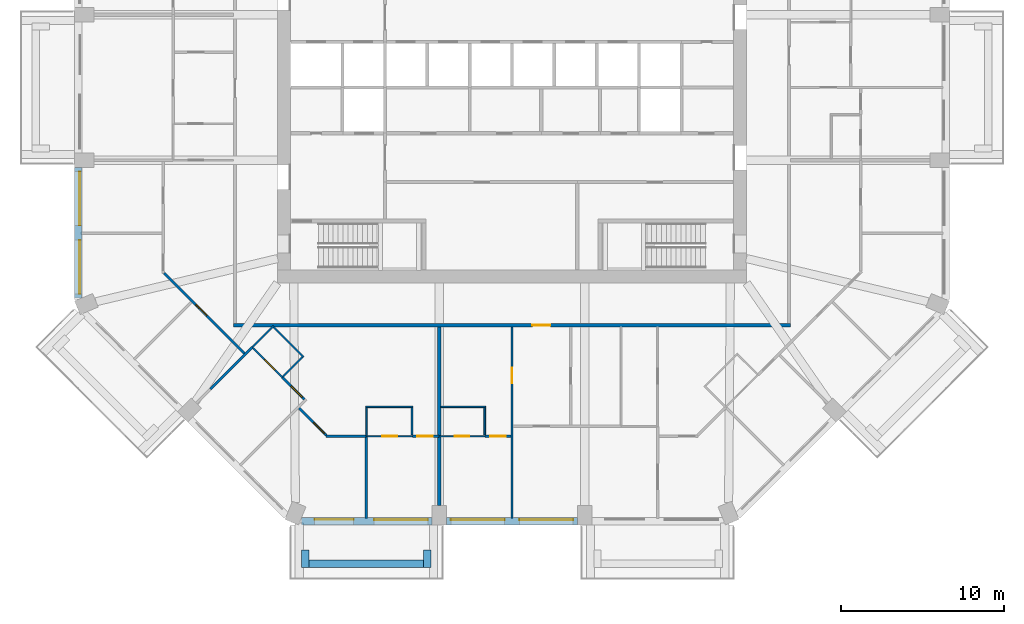
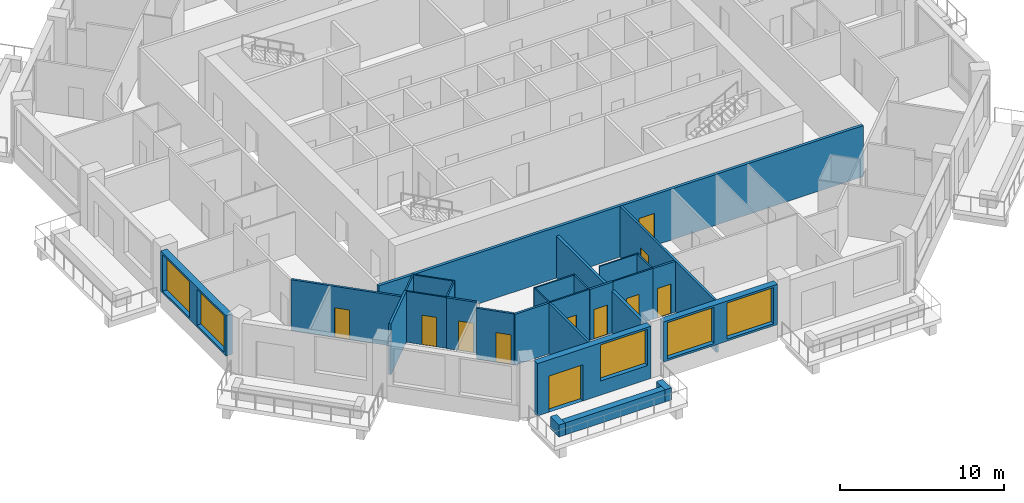
# One storey, part 3 of 13: 28 walls, 11 doors, 5 windows, 16 openings.
"""IFC4 building model written with IfcOpenShell, lengths in metres."""

from ifc_helpers import new_model, si_unit, direction, frame, frame_2d, origin, place, context, subcontext, project, spatial, rectangle, extrude, material, layer, layer_set, type_object, element, fill, save


model = new_model("IFC4")

# Units and contexts
model_context = context("Model", 3, precision=1e-05, world=origin(), true_north=direction((0.0, 1.0)))
body_context = subcontext(model_context, "Body", "Model", "MODEL_VIEW")
ifc_project = project(units=[si_unit("LENGTHUNIT", "METRE"), si_unit("AREAUNIT", "SQUARE_METRE"), si_unit("VOLUMEUNIT", "CUBIC_METRE"), si_unit("PLANEANGLEUNIT", "RADIAN"), si_unit("MASSUNIT", "GRAM", prefix="KILO")], contexts=[model_context])

# Site, building, storey
site_placement = place(None, origin())
site = spatial("IfcSite", under=ifc_project, at=site_placement, CompositionType="ELEMENT")
building_placement = place(site_placement, origin())
building = spatial("IfcBuilding", under=site, at=building_placement, Name="Msitu Wima Residences", CompositionType="ELEMENT")
storey_placement = place(building_placement, frame((0.0, 0.0, 148.5)))
storey = spatial("IfcBuildingStorey", under=building, at=storey_placement, Name="L34", CompositionType="ELEMENT", Elevation=148.5)

# Walls
ifc_material_1 = material(Name="Facing brick")
ifc_layer_1 = layer(ifc_material_1, 0.06494140625, Name="Facing brick")
ifc_material_2 = material(Name="Concrete C40/50", Category="concrete")
ifc_layer_2 = layer(ifc_material_2, 0.156005859375, Name="Concrete C40/50")
ifc_material_3 = material(Name="Waterproofing membrane")
ifc_layer_3 = layer(ifc_material_3, 0.00390625, Name="Waterproofing membrane")
ifc_material_4 = material(Name="Planting soil and planting")
ifc_layer_4 = layer(ifc_material_4, 0.22509765625, Name="Planting soil and planting")
ifc_layer_set_1 = layer_set([ifc_layer_1, ifc_layer_2, ifc_layer_3, ifc_layer_4], Name="Concrete C40/50")
wall_type_1 = type_object("IfcWallType", Name="Balcony planter PLANTER PL450", PredefinedType="USERDEFINED", material=ifc_layer_set_1)
wall_1_placement = place(storey_placement, frame((-12.455810546875, -29.22509765625, 0.0), z_axis=(0.0, 0.0, 1.0), x_axis=(1.0, 0.0, 0.0)))
element("IfcWall", 1, at=wall_1_placement, inside=storey, type_object=wall_type_1, Name="Balcony planter S0 L34", ObjectType="PLANTER", PredefinedType="USERDEFINED", context=body_context, shape_type="SweptSolid", body=[
    extrude(rectangle(XDim=7.037109375, YDim=0.449951171875, at=frame_2d((3.5185546875, 0.0))), origin(), (0.0, 0.0, 1.0), 0.89990234375),
])
for number, where, z_axis, x_axis, name in (
    (2, (-12.680908203125, -28.39990234375, 0.0), (0.0, 0.0, 1.0), (0.0, -1.0, 0.0), "Balcony planter S0 L34"),
    (3, (-5.193603515625, -28.39990234375, 0.0), (0.0, 0.0, 1.0), (0.0, -1.0, 0.0), "Balcony planter S0 L34"),
):
    element("IfcWall", number, at=place(storey_placement, frame(where, z_axis=z_axis, x_axis=x_axis)), inside=storey, type_object=wall_type_1, Name=name, ObjectType="PLANTER", PredefinedType="USERDEFINED", context=body_context, shape_type="SweptSolid", body=[
        extrude(rectangle(XDim=1.050048828125, YDim=0.449951171875, at=frame_2d((0.52490234375, 0.0))), origin(), (0.0, 0.0, 1.0), 0.89990234375),
    ])

# Wall, openings, windows
ifc_material_5 = material(Name="Brick (red buff mix)", Category="masonry")
ifc_layer_5 = layer(ifc_material_5, 0.449951171875)
ifc_layer_set_2 = layer_set([ifc_layer_5], Name="Brick (red buff mix)")
wall_type_2 = type_object("IfcWallType", Name="Brick infill wall BW450", PredefinedType="SOLIDWALL", material=ifc_layer_set_2)
wall_2_placement = place(storey_placement, frame((-26.625, -4.918701171875, 0.89990234375), z_axis=(0.0, 0.0, 1.0), x_axis=(0.0, -1.0, 0.0)))
wall_2 = element("IfcWall", 4, at=wall_2_placement, inside=storey, type_object=wall_type_2, Name="Brick infill wall L34 W2", PredefinedType="SOLIDWALL", context=body_context, shape_type="SweptSolid", body=[
    extrude(rectangle(XDim=8.0, YDim=0.449951171875, at=frame_2d((4.0, 0.0))), origin(), (0.0, 0.0, 1.0), 3.0),
])
opening_1_placement = place(wall_2_placement, frame((0.25, 0.0, 0.14990234375)))
opening_1 = element("IfcOpeningElement", 5, at=opening_1_placement, cuts=wall_2, Name="Opening W34-35.029", PredefinedType="OPENING", context=body_context, shape_type="SweptSolid", body=[
    extrude(rectangle(XDim=3.300048828125, YDim=2.699951171875, at=frame_2d((1.64990234375, 1.35009765625))), frame((0.0, 0.23486328125, 0.0), z_axis=(0.0, -1.0, 0.0), x_axis=(1.0, 0.0, 0.0)), (0.0, 0.0, 1.0), 0.469970703125),
])
opening_2_placement = place(wall_2_placement, frame((4.4501953125, 0.0, 0.14990234375)))
opening_2 = element("IfcOpeningElement", 6, at=opening_2_placement, cuts=wall_2, Name="Opening W34-35.030", PredefinedType="OPENING", context=body_context, shape_type="SweptSolid", body=[
    extrude(rectangle(XDim=3.300048828125, YDim=2.699951171875, at=frame_2d((1.64990234375, 1.35009765625))), frame((0.0, 0.23486328125, 0.0), z_axis=(0.0, -1.0, 0.0), x_axis=(1.0, 0.0, 0.0)), (0.0, 0.0, 1.0), 0.469970703125),
])
ifc_material_6 = material(Name="Anodised aluminium, bronze finish, clear low-emissivity double glazing", Category="aluminium")
window_type = type_object("IfcWindowType", Name="Window W3300x2700", PartitioningType="DOUBLE_PANEL_VERTICAL", PredefinedType="WINDOW", material=ifc_material_6)
window_1_placement = place(opening_1_placement, origin())
window_1 = element("IfcWindow", 7, at=window_1_placement, inside=storey, type_object=window_type, Name="Window L34 W2.1", OverallHeight=2.699951171875, OverallWidth=3.300048828125, PartitioningType="SINGLE_PANEL", PredefinedType="WINDOW", context=body_context, shape_type="SweptSolid", body=[
    extrude(rectangle(XDim=3.300048828125, YDim=2.699951171875, at=frame_2d((1.64990234375, 1.35009765625))), frame((0.0, 0.135009765625, 0.0), z_axis=(0.0, -1.0, 0.0), x_axis=(1.0, 0.0, 0.0)), (0.0, 0.0, 1.0), 0.06005859375),
])
fill(opening_1, window_1)
window_2_placement = place(opening_2_placement, origin())
window_2 = element("IfcWindow", 8, at=window_2_placement, inside=storey, type_object=window_type, Name="Window L34 W2.2", OverallHeight=2.699951171875, OverallWidth=3.300048828125, PartitioningType="SINGLE_PANEL", PredefinedType="WINDOW", context=body_context, shape_type="SweptSolid", body=[
    extrude(rectangle(XDim=3.300048828125, YDim=2.699951171875, at=frame_2d((1.64990234375, 1.35009765625))), frame((0.0, 0.135009765625, 0.0), z_axis=(0.0, -1.0, 0.0), x_axis=(1.0, 0.0, 0.0)), (0.0, 0.0, 1.0), 0.06005859375),
])
fill(opening_2, window_2)

# Wall, openings, door, window
wall_3_placement = place(storey_placement, frame((-12.918701171875, -26.625, 0.0), z_axis=(0.0, 0.0, 1.0), x_axis=(1.0, 0.0, 0.0)))
wall_3 = element("IfcWall", 9, at=wall_3_placement, inside=storey, type_object=wall_type_2, Name="Brick infill wall L34 S0", PredefinedType="SOLIDWALL", context=body_context, shape_type="SweptSolid", body=[
    extrude(rectangle(XDim=8.0, YDim=0.449951171875, at=frame_2d((4.0, 0.0))), origin(), (0.0, 0.0, 1.0), 3.89990234375),
])
opening_3_placement = place(wall_3_placement, frame((0.800048828125, 0.0, 0.0)))
opening_3 = element("IfcOpeningElement", 10, at=opening_3_placement, cuts=wall_3, Name="Opening D34-35.006", PredefinedType="OPENING", context=body_context, shape_type="SweptSolid", body=[
    extrude(rectangle(XDim=2.39990234375, YDim=2.699951171875, at=frame_2d((1.199951171875, 1.35009765625))), frame((0.0, 0.23486328125, 0.0), z_axis=(0.0, -1.0, 0.0), x_axis=(1.0, 0.0, 0.0)), (0.0, 0.0, 1.0), 0.469970703125),
])
opening_4_placement = place(wall_3_placement, frame((4.4501953125, 0.0, 1.050048828125)))
opening_4 = element("IfcOpeningElement", 11, at=opening_4_placement, cuts=wall_3, Name="Opening W34-35.016", PredefinedType="OPENING", context=body_context, shape_type="SweptSolid", body=[
    extrude(rectangle(XDim=3.300048828125, YDim=2.699951171875, at=frame_2d((1.64990234375, 1.35009765625))), frame((0.0, 0.23486328125, 0.0), z_axis=(0.0, -1.0, 0.0), x_axis=(1.0, 0.0, 0.0)), (0.0, 0.0, 1.0), 0.469970703125),
])
door_type_1 = type_object("IfcDoorType", Name="Balcony door D2400x2700", OperationType="SLIDING_TO_LEFT", PredefinedType="DOOR", material=ifc_material_6)
door_1_placement = place(opening_3_placement, origin())
door_1 = element("IfcDoor", 12, at=door_1_placement, inside=storey, type_object=door_type_1, Name="Balcony door L34 S0", OperationType="SINGLE_SWING_LEFT", OverallHeight=2.699951171875, OverallWidth=2.39990234375, PredefinedType="DOOR", context=body_context, shape_type="SweptSolid", body=[
    extrude(rectangle(XDim=2.39990234375, YDim=2.699951171875, at=frame_2d((1.199951171875, 1.35009765625))), frame((0.0, 0.1298828125, 0.0), z_axis=(0.0, -1.0, 0.0), x_axis=(1.0, 0.0, 0.0)), (0.0, 0.0, 1.0), 0.050048828125),
])
fill(opening_3, door_1)
window_3_placement = place(opening_4_placement, origin())
window_3 = element("IfcWindow", 13, at=window_3_placement, inside=storey, type_object=window_type, Name="Window L34 S0.2", OverallHeight=2.699951171875, OverallWidth=3.300048828125, PartitioningType="SINGLE_PANEL", PredefinedType="WINDOW", context=body_context, shape_type="SweptSolid", body=[
    extrude(rectangle(XDim=3.300048828125, YDim=2.699951171875, at=frame_2d((1.64990234375, 1.35009765625))), frame((0.0, 0.135009765625, 0.0), z_axis=(0.0, -1.0, 0.0), x_axis=(1.0, 0.0, 0.0)), (0.0, 0.0, 1.0), 0.06005859375),
])
fill(opening_4, window_3)

# Wall, openings, windows
wall_4_placement = place(storey_placement, frame((-4.0185546875, -26.625, 0.89990234375), z_axis=(0.0, 0.0, 1.0), x_axis=(1.0, 0.0, 0.0)))
wall_4 = element("IfcWall", 14, at=wall_4_placement, inside=storey, type_object=wall_type_2, Name="Brick infill wall L34 S1", PredefinedType="SOLIDWALL", context=body_context, shape_type="SweptSolid", body=[
    extrude(rectangle(XDim=8.037109375, YDim=0.449951171875, at=frame_2d((4.0185546875, 0.0))), origin(), (0.0, 0.0, 1.0), 3.0),
])
opening_5_placement = place(wall_4_placement, frame((0.2685546875, 0.0, 0.14990234375)))
opening_5 = element("IfcOpeningElement", 15, at=opening_5_placement, cuts=wall_4, Name="Opening W34-35.017", PredefinedType="OPENING", context=body_context, shape_type="SweptSolid", body=[
    extrude(rectangle(XDim=3.300048828125, YDim=2.699951171875, at=frame_2d((1.64990234375, 1.35009765625))), frame((0.0, 0.23486328125, 0.0), z_axis=(0.0, -1.0, 0.0), x_axis=(1.0, 0.0, 0.0)), (0.0, 0.0, 1.0), 0.469970703125),
])
opening_6_placement = place(wall_4_placement, frame((4.46875, 0.0, 0.14990234375)))
opening_6 = element("IfcOpeningElement", 16, at=opening_6_placement, cuts=wall_4, Name="Opening W34-35.018", PredefinedType="OPENING", context=body_context, shape_type="SweptSolid", body=[
    extrude(rectangle(XDim=3.300048828125, YDim=2.699951171875, at=frame_2d((1.64990234375, 1.35009765625))), frame((0.0, 0.23486328125, 0.0), z_axis=(0.0, -1.0, 0.0), x_axis=(1.0, 0.0, 0.0)), (0.0, 0.0, 1.0), 0.469970703125),
])
window_4_placement = place(opening_5_placement, origin())
window_4 = element("IfcWindow", 17, at=window_4_placement, inside=storey, type_object=window_type, Name="Window L34 S1.1", OverallHeight=2.699951171875, OverallWidth=3.300048828125, PartitioningType="SINGLE_PANEL", PredefinedType="WINDOW", context=body_context, shape_type="SweptSolid", body=[
    extrude(rectangle(XDim=3.300048828125, YDim=2.699951171875, at=frame_2d((1.64990234375, 1.35009765625))), frame((0.0, 0.135009765625, 0.0), z_axis=(0.0, -1.0, 0.0), x_axis=(1.0, 0.0, 0.0)), (0.0, 0.0, 1.0), 0.06005859375),
])
fill(opening_5, window_4)
window_5_placement = place(opening_6_placement, origin())
window_5 = element("IfcWindow", 18, at=window_5_placement, inside=storey, type_object=window_type, Name="Window L34 S1.2", OverallHeight=2.699951171875, OverallWidth=3.300048828125, PartitioningType="SINGLE_PANEL", PredefinedType="WINDOW", context=body_context, shape_type="SweptSolid", body=[
    extrude(rectangle(XDim=3.300048828125, YDim=2.699951171875, at=frame_2d((1.64990234375, 1.35009765625))), frame((0.0, 0.135009765625, 0.0), z_axis=(0.0, -1.0, 0.0), x_axis=(1.0, 0.0, 0.0)), (0.0, 0.0, 1.0), 0.06005859375),
])
fill(opening_6, window_5)

# Wall, opening, door
ifc_material_7 = material(Name="Plaster")
ifc_layer_6 = layer(ifc_material_7, 0.011962890625, Name="Plaster")
ifc_material_8 = material(Name="Concrete blockwork", Category="masonry")
ifc_layer_7 = layer(ifc_material_8, 0.176025390625, Name="Concrete blockwork")
ifc_layer_8 = layer(ifc_material_7, 0.011962890625, Name="Plaster")
ifc_layer_set_3 = layer_set([ifc_layer_6, ifc_layer_7, ifc_layer_8], Name="Concrete blockwork")
wall_type_3 = type_object("IfcWallType", Name="Corridor wall FW200", PredefinedType="PARTITIONING", material=ifc_layer_set_3)
wall_5_placement = place(storey_placement, frame((-17.10009765625, -14.60009765625, 0.0), z_axis=(0.0, 0.0, 1.0), x_axis=(1.0, 0.0, 0.0)))
wall_5 = element("IfcWall", 19, at=wall_5_placement, inside=storey, type_object=wall_type_3, Name="Corridor wall", PredefinedType="PARTITIONING", context=body_context, shape_type="SweptSolid", body=[
    extrude(rectangle(XDim=34.2001953125, YDim=0.199951171875, at=frame_2d((17.10009765625, 0.0))), origin(), (0.0, 0.0, 1.0), 3.798095703125),
])
opening_7_placement = place(wall_5_placement, frame((18.35009765625, 0.0, 0.0)))
opening_7 = element("IfcOpeningElement", 20, at=opening_7_placement, cuts=wall_5, Name="Opening D34-35.014", PredefinedType="OPENING", context=body_context, shape_type="SweptSolid", body=[
    extrude(rectangle(XDim=1.10009765625, YDim=2.39990234375, at=frame_2d((0.550048828125, 1.199951171875))), frame((0.0, 0.10986328125, 0.0), z_axis=(0.0, -1.0, 0.0), x_axis=(1.0, 0.0, 0.0)), (0.0, 0.0, 1.0), 0.219970703125),
])
ifc_material_9 = material(Name="Timber flush door, fire resisting, self-closing", Category="wood")
door_type_2 = type_object("IfcDoorType", Name="Flat entrance door D01 1100x2400", OperationType="SINGLE_SWING_LEFT", PredefinedType="DOOR", material=ifc_material_9)
door_2_placement = place(opening_7_placement, origin())
door_2 = element("IfcDoor", 21, at=door_2_placement, inside=storey, type_object=door_type_2, Name="Flat entrance door", OperationType="SINGLE_SWING_LEFT", OverallHeight=2.39990234375, OverallWidth=1.10009765625, PredefinedType="DOOR", context=body_context, shape_type="SweptSolid", body=[
    extrude(rectangle(XDim=1.10009765625, YDim=2.39990234375, at=frame_2d((0.550048828125, 1.199951171875))), frame((0.0, 0.02490234375, 0.0), z_axis=(0.0, -1.0, 0.0), x_axis=(1.0, 0.0, 0.0)), (0.0, 0.0, 1.0), 0.050048828125),
])
fill(opening_7, door_2)

ifc_layer_9 = layer(ifc_material_7, 0.011962890625, Name="Plaster")
ifc_layer_10 = layer(ifc_material_8, 0.1259765625, Name="Concrete blockwork")
ifc_layer_11 = layer(ifc_material_7, 0.011962890625, Name="Plaster")
ifc_layer_set_4 = layer_set([ifc_layer_9, ifc_layer_10, ifc_layer_11], Name="Concrete blockwork")
wall_type_4 = type_object("IfcWallType", Name="Partition PW150", PredefinedType="PARTITIONING", material=ifc_layer_set_4)
wall_6_placement = place(storey_placement, frame((-21.346923828125, -11.387939453125, 0.0), z_axis=(0.0, 0.0, 1.0), x_axis=(0.707106781187, -0.707106781187, 0.0)))
wall_6 = element("IfcWall", 22, at=wall_6_placement, inside=storey, type_object=wall_type_4, Name="Partition", PredefinedType="PARTITIONING", context=body_context, shape_type="SweptSolid", body=[
    extrude(rectangle(XDim=6.967041015625, YDim=0.14990234375, at=frame_2d((3.4833984375, 0.0))), origin(), (0.0, 0.0, 1.0), 3.798095703125),
])
opening_8_placement = place(wall_6_placement, frame((2.75, 0.0, 0.0)))
opening_8 = element("IfcOpeningElement", 23, at=opening_8_placement, cuts=wall_6, Name="Opening D34-35.064", PredefinedType="OPENING", context=body_context, shape_type="SweptSolid", body=[
    extrude(rectangle(XDim=0.949951171875, YDim=2.199951171875, at=frame_2d((0.47509765625, 1.10009765625))), frame((0.0, 0.0849609375, 0.0), z_axis=(0.0, -1.0, 0.0), x_axis=(1.0, 0.0, 0.0)), (0.0, 0.0, 1.0), 0.169921875),
])
ifc_material_10 = material(Name="Timber flush door", Category="wood")
door_type_3 = type_object("IfcDoorType", Name="Room door D12 950x2200", OperationType="SINGLE_SWING_LEFT", PredefinedType="DOOR", material=ifc_material_10)
door_3_placement = place(opening_8_placement, origin())
door_3 = element("IfcDoor", 24, at=door_3_placement, inside=storey, type_object=door_type_3, Name="Room door", OperationType="SINGLE_SWING_RIGHT", OverallHeight=2.199951171875, OverallWidth=0.949951171875, PredefinedType="DOOR", context=body_context, shape_type="SweptSolid", body=[
    extrude(rectangle(XDim=0.949951171875, YDim=2.199951171875, at=frame_2d((0.47509765625, 1.10009765625))), frame((0.0, 0.02490234375, 0.0), z_axis=(0.0, -1.0, 0.0), x_axis=(1.0, 0.0, 0.0)), (0.0, 0.0, 1.0), 0.050048828125),
])
fill(opening_8, door_3)

# Wall
wall_7_placement = place(storey_placement, frame((-18.517578125, -18.517578125, 0.0), z_axis=(0.0, 0.0, 1.0), x_axis=(0.707106781187, 0.707106781187, 0.0)))
element("IfcWall", 25, at=wall_7_placement, inside=storey, type_object=wall_type_4, Name="Partition", PredefinedType="PARTITIONING", context=body_context, shape_type="SweptSolid", body=[
    extrude(rectangle(XDim=3.660888671875, YDim=0.14990234375, at=frame_2d((1.83056640625, 0.0))), origin(), (0.0, 0.0, 1.0), 3.798095703125),
])

# Wall, opening, door
wall_8_placement = place(storey_placement, frame((-14.090576171875, -17.795654296875, 0.0), z_axis=(0.0, 0.0, 1.0), x_axis=(0.707106781187, -0.707106781187, 0.0)))
wall_8 = element("IfcWall", 26, at=wall_8_placement, inside=storey, type_object=wall_type_4, Name="Partition", PredefinedType="PARTITIONING", context=body_context, shape_type="SweptSolid", body=[
    extrude(rectangle(XDim=1.8994140625, YDim=0.14990234375, at=frame_2d((0.94970703125, 0.0))), origin(), (0.0, 0.0, 1.0), 3.798095703125),
])
opening_9_placement = place(wall_8_placement, frame((0.75, 0.0, 0.0)))
opening_9 = element("IfcOpeningElement", 27, at=opening_9_placement, cuts=wall_8, Name="Opening D34-35.067", PredefinedType="OPENING", context=body_context, shape_type="SweptSolid", body=[
    extrude(rectangle(XDim=0.949951171875, YDim=2.199951171875, at=frame_2d((0.47509765625, 1.10009765625))), frame((0.0, 0.0849609375, 0.0), z_axis=(0.0, -1.0, 0.0), x_axis=(1.0, 0.0, 0.0)), (0.0, 0.0, 1.0), 0.169921875),
])
door_4_placement = place(opening_9_placement, origin())
door_4 = element("IfcDoor", 28, at=door_4_placement, inside=storey, type_object=door_type_3, Name="Room door", OperationType="SINGLE_SWING_LEFT", OverallHeight=2.199951171875, OverallWidth=0.949951171875, PredefinedType="DOOR", context=body_context, shape_type="SweptSolid", body=[
    extrude(rectangle(XDim=0.949951171875, YDim=2.199951171875, at=frame_2d((0.47509765625, 1.10009765625))), frame((0.0, 0.02490234375, 0.0), z_axis=(0.0, -1.0, 0.0), x_axis=(1.0, 0.0, 0.0)), (0.0, 0.0, 1.0), 0.050048828125),
])
fill(opening_9, door_4)

wall_9_placement = place(storey_placement, frame((-13.06591796875, -19.6689453125, 0.0), z_axis=(0.0, 0.0, 1.0), x_axis=(0.707106781187, -0.707106781187, 0.0)))
wall_9 = element("IfcWall", 29, at=wall_9_placement, inside=storey, type_object=wall_type_4, Name="Partition", PredefinedType="PARTITIONING", context=body_context, shape_type="SweptSolid", body=[
    extrude(rectangle(XDim=2.373046875, YDim=0.14990234375, at=frame_2d((1.1865234375, 0.0))), origin(), (0.0, 0.0, 1.0), 3.798095703125),
])
opening_10_placement = place(wall_9_placement, frame((1.25, 0.0, 0.0)))
opening_10 = element("IfcOpeningElement", 30, at=opening_10_placement, cuts=wall_9, Name="Opening D34-35.069", PredefinedType="OPENING", context=body_context, shape_type="SweptSolid", body=[
    extrude(rectangle(XDim=0.949951171875, YDim=2.199951171875, at=frame_2d((0.47509765625, 1.10009765625))), frame((0.0, 0.0849609375, 0.0), z_axis=(0.0, -1.0, 0.0), x_axis=(1.0, 0.0, 0.0)), (0.0, 0.0, 1.0), 0.169921875),
])
door_5_placement = place(opening_10_placement, origin())
door_5 = element("IfcDoor", 31, at=door_5_placement, inside=storey, type_object=door_type_3, Name="Room door", OperationType="SINGLE_SWING_RIGHT", OverallHeight=2.199951171875, OverallWidth=0.949951171875, PredefinedType="DOOR", context=body_context, shape_type="SweptSolid", body=[
    extrude(rectangle(XDim=0.949951171875, YDim=2.199951171875, at=frame_2d((0.47509765625, 1.10009765625))), frame((0.0, 0.02490234375, 0.0), z_axis=(0.0, -1.0, 0.0), x_axis=(1.0, 0.0, 0.0)), (0.0, 0.0, 1.0), 0.050048828125),
])
fill(opening_10, door_5)

# Walls
wall_10_placement = place(storey_placement, frame((-11.409912109375, -21.39990234375, 0.0), z_axis=(0.0, 0.0, 1.0), x_axis=(1.0, 0.0, 0.0)))
element("IfcWall", 32, at=wall_10_placement, inside=storey, type_object=wall_type_4, Name="Partition", PredefinedType="PARTITIONING", context=body_context, shape_type="SweptSolid", body=[
    extrude(rectangle(XDim=2.45263671875, YDim=0.14990234375, at=frame_2d((1.226318359375, 0.0))), origin(), (0.0, 0.0, 1.0), 3.798095703125),
])
wall_11_placement = place(storey_placement, frame((-8.937255859375, -26.455078125, 0.0), z_axis=(0.0, 0.0, 1.0), x_axis=(0.0, 1.0, 0.0)))
element("IfcWall", 33, at=wall_11_placement, inside=storey, type_object=wall_type_4, Name="Partition", PredefinedType="PARTITIONING", context=body_context, shape_type="SweptSolid", body=[
    extrude(rectangle(XDim=5.0751953125, YDim=0.14990234375, at=frame_2d((2.53759765625, 0.0))), origin(), (0.0, 0.0, 1.0), 3.798095703125),
])

# Wall, opening, door
wall_12_placement = place(storey_placement, frame((-6.1171875, -21.39990234375, 0.0), z_axis=(0.0, 0.0, 1.0), x_axis=(1.0, 0.0, 0.0)))
wall_12 = element("IfcWall", 34, at=wall_12_placement, inside=storey, type_object=wall_type_4, Name="Partition", PredefinedType="PARTITIONING", context=body_context, shape_type="SweptSolid", body=[
    extrude(rectangle(XDim=1.6484375, YDim=0.14990234375, at=frame_2d((0.82421875, 0.0))), origin(), (0.0, 0.0, 1.0), 3.798095703125),
])
opening_11_placement = place(wall_12_placement, frame((0.300048828125, 0.0, 0.0)))
opening_11 = element("IfcOpeningElement", 35, at=opening_11_placement, cuts=wall_12, Name="Opening D34-35.065", PredefinedType="OPENING", context=body_context, shape_type="SweptSolid", body=[
    extrude(rectangle(XDim=0.949951171875, YDim=2.199951171875, at=frame_2d((0.47509765625, 1.10009765625))), frame((0.0, 0.0849609375, 0.0), z_axis=(0.0, -1.0, 0.0), x_axis=(1.0, 0.0, 0.0)), (0.0, 0.0, 1.0), 0.169921875),
])
door_6_placement = place(opening_11_placement, origin())
door_6 = element("IfcDoor", 36, at=door_6_placement, inside=storey, type_object=door_type_3, Name="Room door", OperationType="SINGLE_SWING_LEFT", OverallHeight=2.199951171875, OverallWidth=0.949951171875, PredefinedType="DOOR", context=body_context, shape_type="SweptSolid", body=[
    extrude(rectangle(XDim=0.949951171875, YDim=2.199951171875, at=frame_2d((0.47509765625, 1.10009765625))), frame((0.0, 0.02490234375, 0.0), z_axis=(0.0, -1.0, 0.0), x_axis=(1.0, 0.0, 0.0)), (0.0, 0.0, 1.0), 0.050048828125),
])
fill(opening_11, door_6)

wall_13_placement = place(storey_placement, frame((-1.648681640625, -21.39990234375, 0.0), z_axis=(0.0, 0.0, 1.0), x_axis=(1.0, 0.0, 0.0)))
wall_13 = element("IfcWall", 37, at=wall_13_placement, inside=storey, type_object=wall_type_4, Name="Partition", PredefinedType="PARTITIONING", context=body_context, shape_type="SweptSolid", body=[
    extrude(rectangle(XDim=1.57373046875, YDim=0.14990234375, at=frame_2d((0.786865234375, 0.0))), origin(), (0.0, 0.0, 1.0), 3.798095703125),
])
opening_12_placement = place(wall_13_placement, frame((0.300048828125, 0.0, 0.0)))
opening_12 = element("IfcOpeningElement", 38, at=opening_12_placement, cuts=wall_13, Name="Opening D34-35.074", PredefinedType="OPENING", context=body_context, shape_type="SweptSolid", body=[
    extrude(rectangle(XDim=0.949951171875, YDim=2.199951171875, at=frame_2d((0.47509765625, 1.10009765625))), frame((0.0, 0.0849609375, 0.0), z_axis=(0.0, -1.0, 0.0), x_axis=(1.0, 0.0, 0.0)), (0.0, 0.0, 1.0), 0.169921875),
])
door_7_placement = place(opening_12_placement, origin())
door_7 = element("IfcDoor", 39, at=door_7_placement, inside=storey, type_object=door_type_3, Name="Room door", OperationType="SINGLE_SWING_LEFT", OverallHeight=2.199951171875, OverallWidth=0.949951171875, PredefinedType="DOOR", context=body_context, shape_type="SweptSolid", body=[
    extrude(rectangle(XDim=0.949951171875, YDim=2.199951171875, at=frame_2d((0.47509765625, 1.10009765625))), frame((0.0, 0.02490234375, 0.0), z_axis=(0.0, -1.0, 0.0), x_axis=(1.0, 0.0, 0.0)), (0.0, 0.0, 1.0), 0.050048828125),
])
fill(opening_12, door_7)

wall_14_placement = place(storey_placement, frame((0.0, -26.455078125, 0.0), z_axis=(0.0, 0.0, 1.0), x_axis=(0.0, 1.0, 0.0)))
wall_14 = element("IfcWall", 40, at=wall_14_placement, inside=storey, type_object=wall_type_4, Name="Partition", PredefinedType="PARTITIONING", context=body_context, shape_type="SweptSolid", body=[
    extrude(rectangle(XDim=11.755126953125, YDim=0.14990234375, at=frame_2d((5.87744140625, 0.0))), origin(), (0.0, 0.0, 1.0), 3.798095703125),
])
opening_13_placement = place(wall_14_placement, frame((8.300048828125, 0.0, 0.0)))
opening_13 = element("IfcOpeningElement", 41, at=opening_13_placement, cuts=wall_14, Name="Opening D34-35.071", PredefinedType="OPENING", context=body_context, shape_type="SweptSolid", body=[
    extrude(rectangle(XDim=0.949951171875, YDim=2.199951171875, at=frame_2d((0.47509765625, 1.10009765625))), frame((0.0, 0.0849609375, 0.0), z_axis=(0.0, -1.0, 0.0), x_axis=(1.0, 0.0, 0.0)), (0.0, 0.0, 1.0), 0.169921875),
])
door_8_placement = place(opening_13_placement, origin())
door_8 = element("IfcDoor", 42, at=door_8_placement, inside=storey, type_object=door_type_3, Name="Room door", OperationType="SINGLE_SWING_RIGHT", OverallHeight=2.199951171875, OverallWidth=0.949951171875, PredefinedType="DOOR", context=body_context, shape_type="SweptSolid", body=[
    extrude(rectangle(XDim=0.949951171875, YDim=2.199951171875, at=frame_2d((0.47509765625, 1.10009765625))), frame((0.0, 0.02490234375, 0.0), z_axis=(0.0, -1.0, 0.0), x_axis=(1.0, 0.0, 0.0)), (0.0, 0.0, 1.0), 0.050048828125),
])
fill(opening_13, door_8)

# Walls
ifc_layer_12 = layer(ifc_material_7, 0.011962890625, Name="Plaster")
ifc_material_11 = material(Name="Dense concrete blockwork", Category="masonry")
ifc_layer_13 = layer(ifc_material_11, 0.176025390625, Name="Dense concrete blockwork")
ifc_layer_14 = layer(ifc_material_7, 0.011962890625, Name="Plaster")
ifc_layer_set_5 = layer_set([ifc_layer_12, ifc_layer_13, ifc_layer_14], Name="Dense concrete blockwork")
wall_type_5 = type_object("IfcWallType", Name="Party wall PW200", PredefinedType="PARTITIONING", material=ifc_layer_set_5)
wall_15_placement = place(storey_placement, frame((-4.46875, -25.64990234375, 0.0), z_axis=(0.0, 0.0, 1.0), x_axis=(0.0, 1.0, 0.0)))
element("IfcWall", 43, at=wall_15_placement, inside=storey, type_object=wall_type_5, Name="Party wall", PredefinedType="PARTITIONING", context=body_context, shape_type="SweptSolid", body=[
    extrude(rectangle(XDim=10.949951171875, YDim=0.199951171875, at=frame_2d((5.47509765625, 0.0))), origin(), (0.0, 0.0, 1.0), 3.14990234375),
])
ifc_material_12 = material(Name="Ceramic tiles")
ifc_layer_15 = layer(ifc_material_12, 0.008056640625, Name="Ceramic tiles")
ifc_material_13 = material(Name="Moisture-resistant board")
ifc_layer_16 = layer(ifc_material_13, 0.012451171875, Name="Moisture-resistant board")
ifc_material_14 = material(Name="Light-gauge stud framing with mineral wool")
ifc_layer_17 = layer(ifc_material_14, 0.06689453125, Name="Light-gauge stud framing with mineral wool")
ifc_layer_18 = layer(ifc_material_13, 0.012451171875, Name="Moisture-resistant board")
ifc_layer_set_6 = layer_set([ifc_layer_15, ifc_layer_16, ifc_layer_17, ifc_layer_18], Name="Light-gauge stud framing with mineral wool")
wall_type_6 = type_object("IfcWallType", Name="Wet wall PW100", PredefinedType="PARTITIONING", material=ifc_layer_set_6)
wall_16_placement = place(storey_placement, frame((-15.928955078125, -15.928955078125, 0.0), z_axis=(0.0, 0.0, 1.0), x_axis=(0.707106781187, 0.707106781187, 0.0)))
element("IfcWall", 44, at=wall_16_placement, inside=storey, type_object=wall_type_6, Name="Wet wall", PredefinedType="PARTITIONING", context=body_context, shape_type="SweptSolid", body=[
    extrude(rectangle(XDim=1.829833984375, YDim=0.10009765625, at=frame_2d((0.9150390625, 0.0))), origin(), (0.0, 0.0, 1.0), 3.798095703125),
])

# Wall, opening, door
wall_17_placement = place(storey_placement, frame((-15.89013671875, -15.99609375, 0.0), z_axis=(0.0, 0.0, 1.0), x_axis=(0.707106781187, -0.707106781187, 0.0)))
wall_17 = element("IfcWall", 45, at=wall_17_placement, inside=storey, type_object=wall_type_6, Name="Wet wall", PredefinedType="PARTITIONING", context=body_context, shape_type="SweptSolid", body=[
    extrude(rectangle(XDim=2.544921875, YDim=0.10009765625, at=frame_2d((1.2724609375, 0.0))), origin(), (0.0, 0.0, 1.0), 3.798095703125),
])
opening_14_placement = place(wall_17_placement, frame((1.0, 0.0, 0.0)))
opening_14 = element("IfcOpeningElement", 46, at=opening_14_placement, cuts=wall_17, Name="Opening D34-35.068", PredefinedType="OPENING", context=body_context, shape_type="SweptSolid", body=[
    extrude(rectangle(XDim=0.89990234375, YDim=2.199951171875, at=frame_2d((0.449951171875, 1.10009765625))), frame((0.0, 0.06005859375, 0.0), z_axis=(0.0, -1.0, 0.0), x_axis=(1.0, 0.0, 0.0)), (0.0, 0.0, 1.0), 0.1201171875),
])
ifc_material_15 = material(Name="Timber flush door, moisture resistant", Category="wood")
door_type_4 = type_object("IfcDoorType", Name="Bathroom door D03 900x2200", OperationType="SINGLE_SWING_LEFT", PredefinedType="DOOR", material=ifc_material_15)
door_9_placement = place(opening_14_placement, origin())
door_9 = element("IfcDoor", 47, at=door_9_placement, inside=storey, type_object=door_type_4, Name="Bathroom door", OperationType="SINGLE_SWING_RIGHT", OverallHeight=2.199951171875, OverallWidth=0.89990234375, PredefinedType="DOOR", context=body_context, shape_type="SweptSolid", body=[
    extrude(rectangle(XDim=0.89990234375, YDim=2.199951171875, at=frame_2d((0.449951171875, 1.10009765625))), frame((0.0, 0.02490234375, 0.0), z_axis=(0.0, -1.0, 0.0), x_axis=(1.0, 0.0, 0.0)), (0.0, 0.0, 1.0), 0.050048828125),
])
fill(opening_14, door_9)

# Walls
wall_18_placement = place(storey_placement, frame((-14.635009765625, -14.705810546875, 0.0), z_axis=(0.0, 0.0, 1.0), x_axis=(0.707106781187, -0.707106781187, 0.0)))
element("IfcWall", 48, at=wall_18_placement, inside=storey, type_object=wall_type_6, Name="Wet wall", PredefinedType="PARTITIONING", context=body_context, shape_type="SweptSolid", body=[
    extrude(rectangle(XDim=2.599853515625, YDim=0.10009765625, at=frame_2d((1.2998046875, 0.0))), origin(), (0.0, 0.0, 1.0), 3.798095703125),
])
wall_19_placement = place(storey_placement, frame((-14.0693359375, -17.746337890625, 0.0), z_axis=(0.0, 0.0, 1.0), x_axis=(0.707106781187, 0.707106781187, 0.0)))
element("IfcWall", 49, at=wall_19_placement, inside=storey, type_object=wall_type_6, Name="Wet wall", PredefinedType="PARTITIONING", context=body_context, shape_type="SweptSolid", body=[
    extrude(rectangle(XDim=1.7001953125, YDim=0.10009765625, at=frame_2d((0.85009765625, 0.0))), origin(), (0.0, 0.0, 1.0), 3.798095703125),
])

# Wall, opening, door
wall_20_placement = place(storey_placement, frame((-8.957275390625, -21.39990234375, 0.0), z_axis=(0.0, 0.0, 1.0), x_axis=(1.0, 0.0, 0.0)))
wall_20 = element("IfcWall", 50, at=wall_20_placement, inside=storey, type_object=wall_type_6, Name="Wet wall", PredefinedType="PARTITIONING", context=body_context, shape_type="SweptSolid", body=[
    extrude(rectangle(XDim=2.840087890625, YDim=0.10009765625, at=frame_2d((1.419921875, 0.0))), origin(), (0.0, 0.0, 1.0), 3.798095703125),
])
opening_15_placement = place(wall_20_placement, frame((1.0, 0.0, 0.0)))
opening_15 = element("IfcOpeningElement", 51, at=opening_15_placement, cuts=wall_20, Name="Opening D34-35.066", PredefinedType="OPENING", context=body_context, shape_type="SweptSolid", body=[
    extrude(rectangle(XDim=0.89990234375, YDim=2.199951171875, at=frame_2d((0.449951171875, 1.10009765625))), frame((0.0, 0.06005859375, 0.0), z_axis=(0.0, -1.0, 0.0), x_axis=(1.0, 0.0, 0.0)), (0.0, 0.0, 1.0), 0.1201171875),
])
door_10_placement = place(opening_15_placement, origin())
door_10 = element("IfcDoor", 52, at=door_10_placement, inside=storey, type_object=door_type_4, Name="Bathroom door", OperationType="SINGLE_SWING_RIGHT", OverallHeight=2.199951171875, OverallWidth=0.89990234375, PredefinedType="DOOR", context=body_context, shape_type="SweptSolid", body=[
    extrude(rectangle(XDim=0.89990234375, YDim=2.199951171875, at=frame_2d((0.449951171875, 1.10009765625))), frame((0.0, 0.02490234375, 0.0), z_axis=(0.0, -1.0, 0.0), x_axis=(1.0, 0.0, 0.0)), (0.0, 0.0, 1.0), 0.050048828125),
])
fill(opening_15, door_10)

# Walls
wall_21_placement = place(storey_placement, frame((-8.937255859375, -21.3798828125, 0.0), z_axis=(0.0, 0.0, 1.0), x_axis=(0.0, 1.0, 0.0)))
element("IfcWall", 53, at=wall_21_placement, inside=storey, type_object=wall_type_6, Name="Wet wall", PredefinedType="PARTITIONING", context=body_context, shape_type="SweptSolid", body=[
    extrude(rectangle(XDim=1.72998046875, YDim=0.10009765625, at=frame_2d((0.864990234375, 0.0))), origin(), (0.0, 0.0, 1.0), 3.798095703125),
])
wall_22_placement = place(storey_placement, frame((-8.9873046875, -19.60009765625, 0.0), z_axis=(0.0, 0.0, 1.0), x_axis=(1.0, 0.0, 0.0)))
element("IfcWall", 54, at=wall_22_placement, inside=storey, type_object=wall_type_6, Name="Wet wall", PredefinedType="PARTITIONING", context=body_context, shape_type="SweptSolid", body=[
    extrude(rectangle(XDim=2.900146484375, YDim=0.10009765625, at=frame_2d((1.4501953125, 0.0))), origin(), (0.0, 0.0, 1.0), 3.798095703125),
])
wall_23_placement = place(storey_placement, frame((-6.13720703125, -21.324951171875, 0.0), z_axis=(0.0, 0.0, 1.0), x_axis=(0.0, 1.0, 0.0)))
element("IfcWall", 55, at=wall_23_placement, inside=storey, type_object=wall_type_6, Name="Wet wall", PredefinedType="PARTITIONING", context=body_context, shape_type="SweptSolid", body=[
    extrude(rectangle(XDim=1.675048828125, YDim=0.10009765625, at=frame_2d((0.83740234375, 0.0))), origin(), (0.0, 0.0, 1.0), 3.798095703125),
])

# Wall, opening, door
wall_24_placement = place(storey_placement, frame((-4.46875, -21.39990234375, 0.0), z_axis=(0.0, 0.0, 1.0), x_axis=(1.0, 0.0, 0.0)))
wall_24 = element("IfcWall", 56, at=wall_24_placement, inside=storey, type_object=wall_type_6, Name="Wet wall", PredefinedType="PARTITIONING", context=body_context, shape_type="SweptSolid", body=[
    extrude(rectangle(XDim=2.820068359375, YDim=0.10009765625, at=frame_2d((1.41015625, 0.0))), origin(), (0.0, 0.0, 1.0), 3.798095703125),
])
opening_16_placement = place(wall_24_placement, frame((0.949951171875, 0.0, 0.0)))
opening_16 = element("IfcOpeningElement", 57, at=opening_16_placement, cuts=wall_24, Name="Opening D34-35.075", PredefinedType="OPENING", context=body_context, shape_type="SweptSolid", body=[
    extrude(rectangle(XDim=0.89990234375, YDim=2.199951171875, at=frame_2d((0.449951171875, 1.10009765625))), frame((0.0, 0.06005859375, 0.0), z_axis=(0.0, -1.0, 0.0), x_axis=(1.0, 0.0, 0.0)), (0.0, 0.0, 1.0), 0.1201171875),
])
door_11_placement = place(opening_16_placement, origin())
door_11 = element("IfcDoor", 58, at=door_11_placement, inside=storey, type_object=door_type_4, Name="Bathroom door", OperationType="SINGLE_SWING_LEFT", OverallHeight=2.199951171875, OverallWidth=0.89990234375, PredefinedType="DOOR", context=body_context, shape_type="SweptSolid", body=[
    extrude(rectangle(XDim=0.89990234375, YDim=2.199951171875, at=frame_2d((0.449951171875, 1.10009765625))), frame((0.0, 0.02490234375, 0.0), z_axis=(0.0, -1.0, 0.0), x_axis=(1.0, 0.0, 0.0)), (0.0, 0.0, 1.0), 0.050048828125),
])
fill(opening_16, door_11)

# Walls
wall_25_placement = place(storey_placement, frame((-4.36865234375, -19.60009765625, 0.0), z_axis=(0.0, 0.0, 1.0), x_axis=(1.0, 0.0, 0.0)))
element("IfcWall", 59, at=wall_25_placement, inside=storey, type_object=wall_type_6, Name="Wet wall", PredefinedType="PARTITIONING", context=body_context, shape_type="SweptSolid", body=[
    extrude(rectangle(XDim=2.75, YDim=0.10009765625, at=frame_2d((1.375, 0.0))), origin(), (0.0, 0.0, 1.0), 3.798095703125),
])
wall_26_placement = place(storey_placement, frame((-1.668701171875, -21.324951171875, 0.0), z_axis=(0.0, 0.0, 1.0), x_axis=(0.0, 1.0, 0.0)))
element("IfcWall", 60, at=wall_26_placement, inside=storey, type_object=wall_type_6, Name="Wet wall", PredefinedType="PARTITIONING", context=body_context, shape_type="SweptSolid", body=[
    extrude(rectangle(XDim=1.675048828125, YDim=0.10009765625, at=frame_2d((0.83740234375, 0.0))), origin(), (0.0, 0.0, 1.0), 3.798095703125),
])

save(model, "model.ifc")
